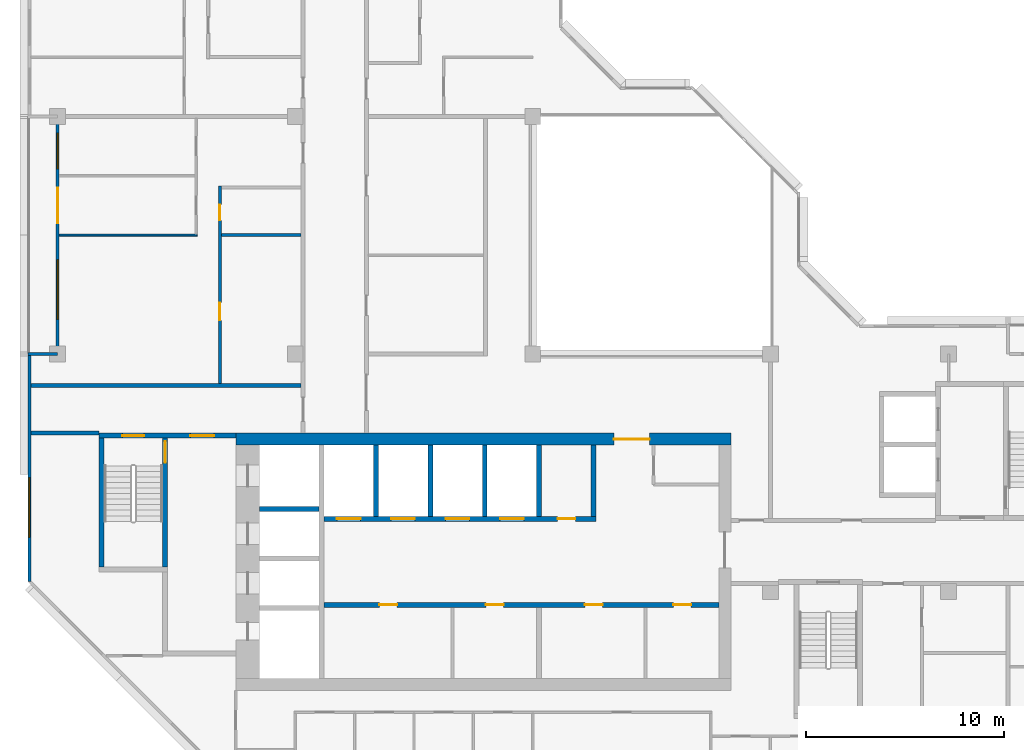
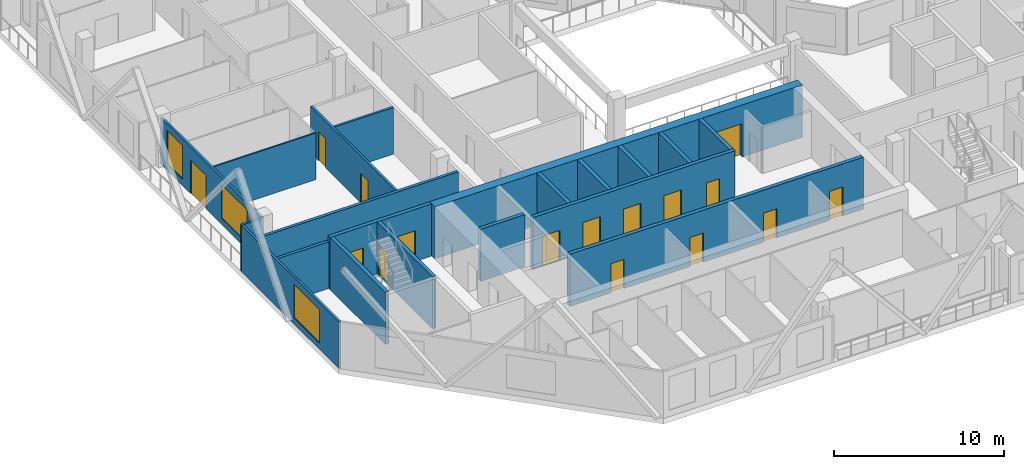
# One storey, part 5 of 13: 20 walls, 16 doors, 3 windows, 19 openings.
"""IFC4 building model written with IfcOpenShell, lengths in metres."""

import ifcopenshell
import ifcopenshell.guid

model = None  # the IFC model being written
_history = None  # IfcOwnerHistory: only IFC2X3 demands one
_inside = {}  # id of a spatial element -> (the spatial element, [elements in it])
_under = {}  # id of a project, library or spatial element -> (it, [spatial elements below it])
_declared = {}  # id of a project -> (the project, [libraries it declares])
_typed = {}  # id of a type object -> (the type object, [elements of that type])
_made_of = {}  # id of a material, layer set ... -> (it, [elements and type objects made of it])


def new_model(schema):
    """Start an empty IFC model of exactly this schema.

    Asked for "IFC4X3", IfcOpenShell would pick the latest addendum, in which some entities
    have other attributes; the version numbers below select the first issue.
    IFC2X3 requires an IfcOwnerHistory on every rooted entity: one is made here for all.
    """
    global model, _history
    if schema == "IFC4X3":
        model = ifcopenshell.file(schema_version=(4, 3, 0, 0))
    else:
        model = ifcopenshell.file(schema=schema)
    _inside.clear()
    _under.clear()
    _declared.clear()
    _typed.clear()
    _made_of.clear()
    _history = None
    if model.schema == "IFC2X3":
        org = make("IfcOrganization", Name="unknown")
        user = make(
            "IfcPersonAndOrganization",
            ThePerson=make("IfcPerson", FamilyName="unknown"),
            TheOrganization=org,
        )
        app = make(
            "IfcApplication",
            ApplicationDeveloper=org,
            Version="unknown",
            ApplicationFullName="unknown",
            ApplicationIdentifier="unknown",
        )
        _history = make(
            "IfcOwnerHistory",
            OwningUser=user,
            OwningApplication=app,
            ChangeAction="ADDED",
            CreationDate=0,
        )
    return model


def make(cls, **values):
    """One entity of the class cls with the attributes given. An attribute that is None is left unset."""
    return model.create_entity(
        cls, **{name: value for name, value in values.items() if value is not None}
    )


def rooted(cls, **values):
    """An entity with a GlobalId (a new one), such as an element, a storey or a relation."""
    return make(cls, GlobalId=ifcopenshell.guid.new(), OwnerHistory=_history, **values)


def si_unit(unit_type, name, prefix=None):
    """IfcSIUnit, for example si_unit("LENGTHUNIT", "METRE", prefix="MILLI")."""
    return make("IfcSIUnit", UnitType=unit_type, Prefix=prefix, Name=name)


def assignment(units):
    """IfcUnitAssignment: the units of a project."""
    return None if units is None else make("IfcUnitAssignment", Units=units)


def point(xyz):
    """IfcCartesianPoint."""
    return None if xyz is None else make("IfcCartesianPoint", Coordinates=xyz)


def direction(xyz):
    """IfcDirection."""
    return None if xyz is None else make("IfcDirection", DirectionRatios=xyz)


def frame(location, z_axis=None, x_axis=None):
    """IfcAxis2Placement3D, a coordinate frame: its origin and axes. An axis left out is left unset."""
    return make(
        "IfcAxis2Placement3D",
        Location=point(location),
        Axis=direction(z_axis),
        RefDirection=direction(x_axis),
    )


def frame_2d(location, x_axis=None):
    """IfcAxis2Placement2D, a coordinate frame in the plane: its origin and x axis."""
    return make(
        "IfcAxis2Placement2D", Location=point(location), RefDirection=direction(x_axis)
    )


def origin():
    """The frame at (0, 0, 0) with its axes left unset."""
    return frame((0.0, 0.0, 0.0))


def place(relative_to, where):
    """IfcLocalPlacement: puts the frame where relative to a parent placement (None: the world)."""
    return make(
        "IfcLocalPlacement", PlacementRelTo=relative_to, RelativePlacement=where
    )


def context(
    kind, dimensions, precision=None, world=None, true_north=None, identifier=None
):
    """IfcGeometricRepresentationContext, for example the 3D "Model" context."""
    return make(
        "IfcGeometricRepresentationContext",
        ContextIdentifier=identifier,
        ContextType=kind,
        CoordinateSpaceDimension=dimensions,
        Precision=precision,
        WorldCoordinateSystem=world,
        TrueNorth=true_north,
    )


def subcontext(parent, identifier, kind, view, scale=None):
    """IfcGeometricRepresentationSubContext, for example "Body" below "Model"."""
    return make(
        "IfcGeometricRepresentationSubContext",
        ContextIdentifier=identifier,
        ContextType=kind,
        ParentContext=parent,
        TargetScale=scale,
        TargetView=view,
    )


def project(units=None, contexts=None):
    """IfcProject with its units and contexts."""
    return rooted(
        "IfcProject",
        Name="project",
        RepresentationContexts=contexts,
        UnitsInContext=assignment(units),
    )


def spatial(cls, under=None, at=None, **own):
    """A site, building, storey or space (cls), placed at a placement, below another one or the project."""
    s = rooted(cls, ObjectPlacement=at, **own)
    if under is not None:
        _under.setdefault(under.id(), (under, []))[1].append(s)
    return s


def profile(cls, at=None, kind="AREA", **sizes):
    """A parametric profile (cls). Its sizes go by their IFC names, for example OverallWidth=200.0."""
    return make(cls, ProfileType=kind, Position=at, **sizes)


def rectangle(**sizes):
    """IfcRectangleProfileDef."""
    return profile("IfcRectangleProfileDef", **sizes)


def extrude(swept, where, along, depth):
    """IfcExtrudedAreaSolid: the profile swept, set in the frame where, extruded along a direction by depth."""
    return make(
        "IfcExtrudedAreaSolid",
        SweptArea=swept,
        Position=where,
        ExtrudedDirection=direction(along),
        Depth=depth,
    )


def shape(context_of_items, identifier, shape_type, items):
    """IfcShapeRepresentation: the items that make up one representation, for example the "Body"."""
    return make(
        "IfcShapeRepresentation",
        ContextOfItems=context_of_items,
        RepresentationIdentifier=identifier,
        RepresentationType=shape_type,
        Items=items,
    )


def material(Name=None, Category=None):
    """IfcMaterial."""
    return make("IfcMaterial", Name=Name, Category=Category)


def layer(
    of_material, thickness, ventilated=None, Name=None, Category=None, Priority=None
):
    """IfcMaterialLayer: one layer of a wall or slab, of a material (None: an air gap)."""
    return make(
        "IfcMaterialLayer",
        Material=of_material,
        LayerThickness=thickness,
        IsVentilated=ventilated,
        Name=Name,
        Category=Category,
        Priority=Priority,
    )


def layer_set(layers, Name=None):
    """IfcMaterialLayerSet."""
    return make("IfcMaterialLayerSet", MaterialLayers=layers, LayerSetName=Name)


def made_of(thing, what):
    """Note that an element or type object is made of a material, layer set ...; save() writes the relation."""
    if what is not None:
        _made_of.setdefault(what.id(), (what, []))[1].append(thing)
    return thing


def type_object(cls, material=None, **own):
    """A type object (cls), such as IfcWallType, which elements share."""
    return made_of(rooted(cls, **own), material)


def element(
    cls,
    number,
    at=None,
    inside=None,
    cuts=None,
    type_object=None,
    material=None,
    context=None,
    identifier="Body",
    shape_type=None,
    held_by="IfcProductDefinitionShape",
    body=None,
    shapes=None,
    **own,
):
    """One element of the class cls, such as IfcWall. Its Tag is "e" and its number.

    at: its placement. inside: the storey or other place that contains it. cuts: it is an
    opening in that element (IfcRelVoidsElement). A single representation is given by context,
    identifier, shape_type and body (its items); several are given by shapes. held_by: the class
    of the entity that holds the representations. save() writes the other relations.
    """
    e = rooted(cls, Tag="e%d" % number, ObjectPlacement=at, **own)
    if body is not None:
        shapes = [shape(context, identifier, shape_type, body)]
    if shapes is not None:
        e.Representation = make(held_by, Representations=shapes)
    if inside is not None:
        _inside.setdefault(inside.id(), (inside, []))[1].append(e)
    if cuts is not None:
        rooted(
            "IfcRelVoidsElement", RelatingBuildingElement=cuts, RelatedOpeningElement=e
        )
    if type_object is not None:
        _typed.setdefault(type_object.id(), (type_object, []))[1].append(e)
    return made_of(e, material)


def fill(opening, filler):
    """IfcRelFillsElement: the door or window that sits in an opening."""
    return rooted(
        "IfcRelFillsElement",
        RelatingOpeningElement=opening,
        RelatedBuildingElement=filler,
    )


def aggregate(whole, parts):
    """IfcRelAggregates: a whole, such as a stair, and the parts it consists of."""
    return rooted("IfcRelAggregates", RelatingObject=whole, RelatedObjects=parts)


def save(model, path):
    """Write the relations noted so far, then the file.

    IfcRelAggregates (storeys below a building ...), IfcRelContainedInSpatialStructure (elements
    in a storey), IfcRelDefinesByType, IfcRelAssociatesMaterial and IfcRelDeclares: one each for
    every whole, place, type object, material and project.
    """
    for whole, parts in _under.values():
        aggregate(whole, parts)
    for where, things in _inside.values():
        rooted(
            "IfcRelContainedInSpatialStructure",
            RelatedElements=things,
            RelatingStructure=where,
        )
    for kind, things in _typed.values():
        rooted("IfcRelDefinesByType", RelatedObjects=things, RelatingType=kind)
    for what, things in _made_of.values():
        rooted("IfcRelAssociatesMaterial", RelatedObjects=things, RelatingMaterial=what)
    for by, libraries in _declared.values():
        rooted("IfcRelDeclares", RelatingContext=by, RelatedDefinitions=libraries)
    model.write(path)


model = new_model("IFC4")

# Units and contexts
model_context = context("Model", 3, precision=1e-05, world=origin(), true_north=direction((0.0, 1.0)))
body_context = subcontext(model_context, "Body", "Model", "MODEL_VIEW")
ifc_project = project(units=[si_unit("LENGTHUNIT", "METRE"), si_unit("AREAUNIT", "SQUARE_METRE"), si_unit("VOLUMEUNIT", "CUBIC_METRE"), si_unit("PLANEANGLEUNIT", "RADIAN"), si_unit("MASSUNIT", "GRAM", prefix="KILO")], contexts=[model_context])

# Site, building, storey
site_placement = place(None, origin())
site = spatial("IfcSite", under=ifc_project, at=site_placement, CompositionType="ELEMENT")
building_placement = place(site_placement, origin())
building = spatial("IfcBuilding", under=site, at=building_placement, Name="Chenar Terraces", CompositionType="ELEMENT")
storey_placement = place(building_placement, frame((0.0, 0.0, 273.39990234375)))
storey = spatial("IfcBuildingStorey", under=building, at=storey_placement, Name="L63", CompositionType="ELEMENT", Elevation=273.39990234375)

# Wall, openings, doors
ifc_material_1 = material(Name="Concrete C50/60", Category="concrete")
ifc_layer_1 = layer(ifc_material_1, 0.25)
ifc_layer_set_1 = layer_set([ifc_layer_1], Name="Concrete C50/60")
wall_type_1 = type_object("IfcWallType", Name="Core wall 250 Concrete C50/60", PredefinedType="SHEAR", material=ifc_layer_set_1)
wall_1_placement = place(storey_placement, frame((13.449951171875, 11.324951171875, 0.0), z_axis=(0.0, 0.0, 1.0), x_axis=(1.0, 0.0, 0.0)))
wall_1 = element("IfcWall", 1, at=wall_1_placement, inside=storey, type_object=wall_type_1, Name="Core wall SF L63", PredefinedType="SHEAR", context=body_context, shape_type="SweptSolid", body=[
    extrude(rectangle(XDim=19.949951171875, YDim=0.25, at=frame_2d((9.97509765625, 0.0))), origin(), (0.0, 0.0, 1.0), 3.75),
])
opening_1_placement = place(wall_1_placement, frame((2.800048828125, 0.0, 0.0)))
opening_1 = element("IfcOpeningElement", 2, at=opening_1_placement, cuts=wall_1, Name="Opening DL63-C12", PredefinedType="OPENING", context=body_context, shape_type="SweptSolid", body=[
    extrude(rectangle(XDim=0.89990234375, YDim=2.10009765625, at=frame_2d((0.449951171875, 1.050048828125))), frame((0.0, 0.135009765625, 0.0), z_axis=(0.0, -1.0, 0.0), x_axis=(1.0, 0.0, 0.0)), (0.0, 0.0, 1.0), 0.27001953125),
])
opening_2_placement = place(wall_1_placement, frame((8.175048828125, 0.0, 0.0)))
opening_2 = element("IfcOpeningElement", 3, at=opening_2_placement, cuts=wall_1, Name="Opening DL63-C13", PredefinedType="OPENING", context=body_context, shape_type="SweptSolid", body=[
    extrude(rectangle(XDim=0.89990234375, YDim=2.10009765625, at=frame_2d((0.449951171875, 1.050048828125))), frame((0.0, 0.135009765625, 0.0), z_axis=(0.0, -1.0, 0.0), x_axis=(1.0, 0.0, 0.0)), (0.0, 0.0, 1.0), 0.27001953125),
])
opening_3_placement = place(wall_1_placement, frame((13.175048828125, 0.0, 0.0)))
opening_3 = element("IfcOpeningElement", 4, at=opening_3_placement, cuts=wall_1, Name="Opening DL63-C14", PredefinedType="OPENING", context=body_context, shape_type="SweptSolid", body=[
    extrude(rectangle(XDim=0.89990234375, YDim=2.10009765625, at=frame_2d((0.449951171875, 1.050048828125))), frame((0.0, 0.135009765625, 0.0), z_axis=(0.0, -1.0, 0.0), x_axis=(1.0, 0.0, 0.0)), (0.0, 0.0, 1.0), 0.27001953125),
])
opening_4_placement = place(wall_1_placement, frame((17.64990234375, 0.0, 0.0)))
opening_4 = element("IfcOpeningElement", 5, at=opening_4_placement, cuts=wall_1, Name="Opening DL63-C15", PredefinedType="OPENING", context=body_context, shape_type="SweptSolid", body=[
    extrude(rectangle(XDim=0.89990234375, YDim=2.10009765625, at=frame_2d((0.449951171875, 1.050048828125))), frame((0.0, 0.135009765625, 0.0), z_axis=(0.0, -1.0, 0.0), x_axis=(1.0, 0.0, 0.0)), (0.0, 0.0, 1.0), 0.27001953125),
])
ifc_material_2 = material(Name="Steel-framed fire-resisting door leaf", Category="steel")
door_type_1 = type_object("IfcDoorType", Name="Riser fire door FD60 900 x 2100", OperationType="SINGLE_SWING_LEFT", PredefinedType="DOOR", material=ifc_material_2)
door_1_placement = place(opening_1_placement, frame((0.89990234375, 0.0, 0.0), z_axis=(0.0, 0.0, 1.0), x_axis=(-1.0, 0.0, 0.0)))
door_1 = element("IfcDoor", 6, at=door_1_placement, inside=storey, type_object=door_type_1, Name="Core room door DL63-C12", OperationType="SINGLE_SWING_LEFT", OverallHeight=2.10009765625, OverallWidth=0.89990234375, PredefinedType="DOOR", context=body_context, shape_type="SweptSolid", body=[
    extrude(rectangle(XDim=0.89990234375, YDim=2.10009765625, at=frame_2d((0.449951171875, 1.050048828125))), frame((0.0, 0.02490234375, 0.0), z_axis=(0.0, -1.0, 0.0), x_axis=(1.0, 0.0, 0.0)), (0.0, 0.0, 1.0), 0.050048828125),
])
fill(opening_1, door_1)
door_2_placement = place(opening_2_placement, frame((0.89990234375, 0.0, 0.0), z_axis=(0.0, 0.0, 1.0), x_axis=(-1.0, 0.0, 0.0)))
door_2 = element("IfcDoor", 7, at=door_2_placement, inside=storey, type_object=door_type_1, Name="Core room door DL63-C13", OperationType="SINGLE_SWING_LEFT", OverallHeight=2.10009765625, OverallWidth=0.89990234375, PredefinedType="DOOR", context=body_context, shape_type="SweptSolid", body=[
    extrude(rectangle(XDim=0.89990234375, YDim=2.10009765625, at=frame_2d((0.449951171875, 1.050048828125))), frame((0.0, 0.02490234375, 0.0), z_axis=(0.0, -1.0, 0.0), x_axis=(1.0, 0.0, 0.0)), (0.0, 0.0, 1.0), 0.050048828125),
])
fill(opening_2, door_2)
door_3_placement = place(opening_3_placement, frame((0.89990234375, 0.0, 0.0), z_axis=(0.0, 0.0, 1.0), x_axis=(-1.0, 0.0, 0.0)))
door_3 = element("IfcDoor", 8, at=door_3_placement, inside=storey, type_object=door_type_1, Name="Core room door DL63-C14", OperationType="SINGLE_SWING_LEFT", OverallHeight=2.10009765625, OverallWidth=0.89990234375, PredefinedType="DOOR", context=body_context, shape_type="SweptSolid", body=[
    extrude(rectangle(XDim=0.89990234375, YDim=2.10009765625, at=frame_2d((0.449951171875, 1.050048828125))), frame((0.0, 0.02490234375, 0.0), z_axis=(0.0, -1.0, 0.0), x_axis=(1.0, 0.0, 0.0)), (0.0, 0.0, 1.0), 0.050048828125),
])
fill(opening_3, door_3)
door_4_placement = place(opening_4_placement, frame((0.89990234375, 0.0, 0.0), z_axis=(0.0, 0.0, 1.0), x_axis=(-1.0, 0.0, 0.0)))
door_4 = element("IfcDoor", 9, at=door_4_placement, inside=storey, type_object=door_type_1, Name="Core room door DL63-C15", OperationType="SINGLE_SWING_RIGHT", OverallHeight=2.10009765625, OverallWidth=0.89990234375, PredefinedType="DOOR", context=body_context, shape_type="SweptSolid", body=[
    extrude(rectangle(XDim=0.89990234375, YDim=2.10009765625, at=frame_2d((0.449951171875, 1.050048828125))), frame((0.0, 0.02490234375, 0.0), z_axis=(0.0, -1.0, 0.0), x_axis=(1.0, 0.0, 0.0)), (0.0, 0.0, 1.0), 0.050048828125),
])
fill(opening_4, door_4)

wall_2_placement = place(storey_placement, frame((13.449951171875, 15.675048828125, 0.0), z_axis=(0.0, 0.0, 1.0), x_axis=(1.0, 0.0, 0.0)))
wall_2 = element("IfcWall", 10, at=wall_2_placement, inside=storey, type_object=wall_type_1, Name="Core wall NF L63", PredefinedType="SHEAR", context=body_context, shape_type="SweptSolid", body=[
    extrude(rectangle(XDim=13.75, YDim=0.25, at=frame_2d((6.875, 0.0))), origin(), (0.0, 0.0, 1.0), 3.75),
])
opening_5_placement = place(wall_2_placement, frame((0.64990234375, 0.0, 0.0)))
opening_5 = element("IfcOpeningElement", 11, at=opening_5_placement, cuts=wall_2, Name="Opening DL63-LD1", PredefinedType="OPENING", context=body_context, shape_type="SweptSolid", body=[
    extrude(rectangle(XDim=1.199951171875, YDim=2.199951171875, at=frame_2d((0.60009765625, 1.10009765625))), frame((0.0, 0.135009765625, 0.0), z_axis=(0.0, -1.0, 0.0), x_axis=(1.0, 0.0, 0.0)), (0.0, 0.0, 1.0), 0.27001953125),
])
opening_6_placement = place(wall_2_placement, frame((3.39990234375, 0.0, 0.0)))
opening_6 = element("IfcOpeningElement", 12, at=opening_6_placement, cuts=wall_2, Name="Opening DL63-LD2", PredefinedType="OPENING", context=body_context, shape_type="SweptSolid", body=[
    extrude(rectangle(XDim=1.199951171875, YDim=2.199951171875, at=frame_2d((0.60009765625, 1.10009765625))), frame((0.0, 0.135009765625, 0.0), z_axis=(0.0, -1.0, 0.0), x_axis=(1.0, 0.0, 0.0)), (0.0, 0.0, 1.0), 0.27001953125),
])
opening_7_placement = place(wall_2_placement, frame((6.14990234375, 0.0, 0.0)))
opening_7 = element("IfcOpeningElement", 13, at=opening_7_placement, cuts=wall_2, Name="Opening DL63-LD3", PredefinedType="OPENING", context=body_context, shape_type="SweptSolid", body=[
    extrude(rectangle(XDim=1.199951171875, YDim=2.199951171875, at=frame_2d((0.60009765625, 1.10009765625))), frame((0.0, 0.135009765625, 0.0), z_axis=(0.0, -1.0, 0.0), x_axis=(1.0, 0.0, 0.0)), (0.0, 0.0, 1.0), 0.27001953125),
])
opening_8_placement = place(wall_2_placement, frame((8.89990234375, 0.0, 0.0)))
opening_8 = element("IfcOpeningElement", 14, at=opening_8_placement, cuts=wall_2, Name="Opening DL63-LD4", PredefinedType="OPENING", context=body_context, shape_type="SweptSolid", body=[
    extrude(rectangle(XDim=1.199951171875, YDim=2.199951171875, at=frame_2d((0.60009765625, 1.10009765625))), frame((0.0, 0.135009765625, 0.0), z_axis=(0.0, -1.0, 0.0), x_axis=(1.0, 0.0, 0.0)), (0.0, 0.0, 1.0), 0.27001953125),
])
opening_9_placement = place(wall_2_placement, frame((11.800048828125, 0.0, 0.0)))
opening_9 = element("IfcOpeningElement", 15, at=opening_9_placement, cuts=wall_2, Name="Opening DL63-C16", PredefinedType="OPENING", context=body_context, shape_type="SweptSolid", body=[
    extrude(rectangle(XDim=0.89990234375, YDim=2.10009765625, at=frame_2d((0.449951171875, 1.050048828125))), frame((0.0, 0.135009765625, 0.0), z_axis=(0.0, -1.0, 0.0), x_axis=(1.0, 0.0, 0.0)), (0.0, 0.0, 1.0), 0.27001953125),
])
ifc_material_3 = material(Name="Stainless steel", Category="steel")
door_type_2 = type_object("IfcDoorType", Name="Lift landing door 1200 x 2200 sliding", OperationType="DOUBLE_DOOR_SLIDING", PredefinedType="DOOR", material=ifc_material_3)
door_5_placement = place(opening_5_placement, origin())
door_5 = element("IfcDoor", 16, at=door_5_placement, inside=storey, type_object=door_type_2, Name="Landing door H1", OperationType="DOUBLE_DOOR_SLIDING", OverallHeight=2.199951171875, OverallWidth=1.199951171875, PredefinedType="DOOR", context=body_context, shape_type="SweptSolid", body=[
    extrude(rectangle(XDim=1.199951171875, YDim=2.199951171875, at=frame_2d((0.60009765625, 1.10009765625))), frame((0.0, 0.02490234375, 0.0), z_axis=(0.0, -1.0, 0.0), x_axis=(1.0, 0.0, 0.0)), (0.0, 0.0, 1.0), 0.050048828125),
])
fill(opening_5, door_5)
door_6_placement = place(opening_6_placement, origin())
door_6 = element("IfcDoor", 17, at=door_6_placement, inside=storey, type_object=door_type_2, Name="Landing door H2", OperationType="DOUBLE_DOOR_SLIDING", OverallHeight=2.199951171875, OverallWidth=1.199951171875, PredefinedType="DOOR", context=body_context, shape_type="SweptSolid", body=[
    extrude(rectangle(XDim=1.199951171875, YDim=2.199951171875, at=frame_2d((0.60009765625, 1.10009765625))), frame((0.0, 0.02490234375, 0.0), z_axis=(0.0, -1.0, 0.0), x_axis=(1.0, 0.0, 0.0)), (0.0, 0.0, 1.0), 0.050048828125),
])
fill(opening_6, door_6)
door_7_placement = place(opening_7_placement, origin())
door_7 = element("IfcDoor", 18, at=door_7_placement, inside=storey, type_object=door_type_2, Name="Landing door H3", OperationType="DOUBLE_DOOR_SLIDING", OverallHeight=2.199951171875, OverallWidth=1.199951171875, PredefinedType="DOOR", context=body_context, shape_type="SweptSolid", body=[
    extrude(rectangle(XDim=1.199951171875, YDim=2.199951171875, at=frame_2d((0.60009765625, 1.10009765625))), frame((0.0, 0.02490234375, 0.0), z_axis=(0.0, -1.0, 0.0), x_axis=(1.0, 0.0, 0.0)), (0.0, 0.0, 1.0), 0.050048828125),
])
fill(opening_7, door_7)
door_8_placement = place(opening_8_placement, origin())
door_8 = element("IfcDoor", 19, at=door_8_placement, inside=storey, type_object=door_type_2, Name="Landing door H4", OperationType="DOUBLE_DOOR_SLIDING", OverallHeight=2.199951171875, OverallWidth=1.199951171875, PredefinedType="DOOR", context=body_context, shape_type="SweptSolid", body=[
    extrude(rectangle(XDim=1.199951171875, YDim=2.199951171875, at=frame_2d((0.60009765625, 1.10009765625))), frame((0.0, 0.02490234375, 0.0), z_axis=(0.0, -1.0, 0.0), x_axis=(1.0, 0.0, 0.0)), (0.0, 0.0, 1.0), 0.050048828125),
])
fill(opening_8, door_8)
door_9_placement = place(opening_9_placement, origin())
door_9 = element("IfcDoor", 20, at=door_9_placement, inside=storey, type_object=door_type_1, Name="Core room door DL63-C16", OperationType="SINGLE_SWING_RIGHT", OverallHeight=2.10009765625, OverallWidth=0.89990234375, PredefinedType="DOOR", context=body_context, shape_type="SweptSolid", body=[
    extrude(rectangle(XDim=0.89990234375, YDim=2.10009765625, at=frame_2d((0.449951171875, 1.050048828125))), frame((0.0, 0.02490234375, 0.0), z_axis=(0.0, -1.0, 0.0), x_axis=(1.0, 0.0, 0.0)), (0.0, 0.0, 1.0), 0.050048828125),
])
fill(opening_9, door_9)

# Walls
wall_3_placement = place(storey_placement, frame((10.199951171875, 16.175048828125, 0.0), z_axis=(0.0, 0.0, 1.0), x_axis=(1.0, 0.0, 0.0)))
element("IfcWall", 21, at=wall_3_placement, inside=storey, type_object=wall_type_1, Name="Core wall HW2 L63", PredefinedType="SHEAR", context=body_context, shape_type="SweptSolid", body=[
    extrude(rectangle(XDim=3.0, YDim=0.25, at=frame_2d((1.5, 0.0))), origin(), (0.0, 0.0, 1.0), 3.75),
])
for number, where, z_axis, x_axis, name in (
    (22, (16.074951171875, 15.800048828125, 0.0), (0.0, 0.0, 1.0), (0.0, 1.0, 0.0), "Core wall NS0 L63"),
    (23, (18.824951171875, 15.800048828125, 0.0), (0.0, 0.0, 1.0), (0.0, 1.0, 0.0), "Core wall NS1 L63"),
    (24, (21.574951171875, 15.800048828125, 0.0), (0.0, 0.0, 1.0), (0.0, 1.0, 0.0), "Core wall NS2 L63"),
    (25, (24.324951171875, 15.800048828125, 0.0), (0.0, 0.0, 1.0), (0.0, 1.0, 0.0), "Core wall NS3 L63"),
    (26, (27.074951171875, 15.800048828125, 0.0), (0.0, 0.0, 1.0), (0.0, 1.0, 0.0), "Core wall NE L63"),
):
    element("IfcWall", number, at=place(storey_placement, frame(where, z_axis=z_axis, x_axis=x_axis)), inside=storey, type_object=wall_type_1, Name=name, PredefinedType="SHEAR", context=body_context, shape_type="SweptSolid", body=[
        extrude(rectangle(XDim=3.599853515625, YDim=0.25, at=frame_2d((1.7998046875, 0.0))), origin(), (0.0, 0.0, 1.0), 3.75),
    ])

# Wall, openings, doors
wall_4_placement = place(storey_placement, frame((2.10009765625, 19.875, 0.0), z_axis=(0.0, 0.0, 1.0), x_axis=(1.0, 0.0, 0.0)))
wall_4 = element("IfcWall", 27, at=wall_4_placement, inside=storey, type_object=wall_type_1, Name="Core wall A_N L63", PredefinedType="SHEAR", context=body_context, shape_type="SweptSolid", body=[
    extrude(rectangle(XDim=6.89990234375, YDim=0.25, at=frame_2d((3.449951171875, 0.0))), origin(), (0.0, 0.0, 1.0), 3.75),
])
opening_10_placement = place(wall_4_placement, frame((1.175048828125, 0.0, 0.0)))
opening_10 = element("IfcOpeningElement", 28, at=opening_10_placement, cuts=wall_4, Name="Opening DL63-C5", PredefinedType="OPENING", context=body_context, shape_type="SweptSolid", body=[
    extrude(rectangle(XDim=1.10009765625, YDim=2.199951171875, at=frame_2d((0.550048828125, 1.10009765625))), frame((0.0, 0.135009765625, 0.0), z_axis=(0.0, -1.0, 0.0), x_axis=(1.0, 0.0, 0.0)), (0.0, 0.0, 1.0), 0.27001953125),
])
opening_11_placement = place(wall_4_placement, frame((4.60009765625, 0.0, 0.0)))
opening_11 = element("IfcOpeningElement", 29, at=opening_11_placement, cuts=wall_4, Name="Opening DL63-C6", PredefinedType="OPENING", context=body_context, shape_type="SweptSolid", body=[
    extrude(rectangle(XDim=1.199951171875, YDim=2.199951171875, at=frame_2d((0.60009765625, 1.10009765625))), frame((0.0, 0.135009765625, 0.0), z_axis=(0.0, -1.0, 0.0), x_axis=(1.0, 0.0, 0.0)), (0.0, 0.0, 1.0), 0.27001953125),
])
ifc_material_4 = material(Name="Steel-framed fire-resisting door leaf", Category="steel")
door_type_3 = type_object("IfcDoorType", Name="Lobby fire door FD60 1200 x 2200", OperationType="SINGLE_SWING_LEFT", PredefinedType="DOOR", material=ifc_material_4)
door_10_placement = place(opening_11_placement, frame((1.199951171875, 0.0, 0.0), z_axis=(0.0, 0.0, 1.0), x_axis=(-1.0, 0.0, 0.0)))
door_10 = element("IfcDoor", 30, at=door_10_placement, inside=storey, type_object=door_type_3, Name="Core door DL63-C6", OperationType="SINGLE_SWING_LEFT", OverallHeight=2.199951171875, OverallWidth=1.199951171875, PredefinedType="DOOR", context=body_context, shape_type="SweptSolid", body=[
    extrude(rectangle(XDim=1.199951171875, YDim=2.199951171875, at=frame_2d((0.60009765625, 1.10009765625))), frame((0.0, 0.02490234375, 0.0), z_axis=(0.0, -1.0, 0.0), x_axis=(1.0, 0.0, 0.0)), (0.0, 0.0, 1.0), 0.050048828125),
])
fill(opening_11, door_10)
ifc_material_5 = material(Name="Steel-framed fire-resisting door leaf", Category="steel")
door_type_4 = type_object("IfcDoorType", Name="Stair fire door FD60 1100 x 2200", OperationType="SINGLE_SWING_LEFT", PredefinedType="DOOR", material=ifc_material_5)
door_11_placement = place(opening_10_placement, origin())
door_11 = element("IfcDoor", 31, at=door_11_placement, inside=storey, type_object=door_type_4, Name="Stair door DL63-C5", OperationType="SINGLE_SWING_LEFT", OverallHeight=2.199951171875, OverallWidth=1.10009765625, PredefinedType="DOOR", context=body_context, shape_type="SweptSolid", body=[
    extrude(rectangle(XDim=1.10009765625, YDim=2.199951171875, at=frame_2d((0.550048828125, 1.10009765625))), frame((0.0, 0.02490234375, 0.0), z_axis=(0.0, -1.0, 0.0), x_axis=(1.0, 0.0, 0.0)), (0.0, 0.0, 1.0), 0.050048828125),
])
fill(opening_10, door_11)

# Wall
wall_5_placement = place(storey_placement, frame((2.22509765625, 13.25, 0.0), z_axis=(0.0, 0.0, 1.0), x_axis=(0.0, 1.0, 0.0)))
element("IfcWall", 32, at=wall_5_placement, inside=storey, type_object=wall_type_1, Name="Core wall ST1_W L63", PredefinedType="SHEAR", context=body_context, shape_type="SweptSolid", body=[
    extrude(rectangle(XDim=6.5, YDim=0.25, at=frame_2d((3.25, 0.0))), origin(), (0.0, 0.0, 1.0), 3.75),
])

# Wall, opening, door
wall_6_placement = place(storey_placement, frame((5.425048828125, 13.25, 0.0), z_axis=(0.0, 0.0, 1.0), x_axis=(0.0, 1.0, 0.0)))
wall_6 = element("IfcWall", 33, at=wall_6_placement, inside=storey, type_object=wall_type_1, Name="Core wall ST1_E L63", PredefinedType="SHEAR", context=body_context, shape_type="SweptSolid", body=[
    extrude(rectangle(XDim=6.5, YDim=0.25, at=frame_2d((3.25, 0.0))), origin(), (0.0, 0.0, 1.0), 3.75),
])
opening_12_placement = place(wall_6_placement, frame((5.25, 0.0, 0.0)))
opening_12 = element("IfcOpeningElement", 34, at=opening_12_placement, cuts=wall_6, Name="Opening DL63-C3", PredefinedType="OPENING", context=body_context, shape_type="SweptSolid", body=[
    extrude(rectangle(XDim=1.10009765625, YDim=2.199951171875, at=frame_2d((0.550048828125, 1.10009765625))), frame((0.0, 0.135009765625, 0.0), z_axis=(0.0, -1.0, 0.0), x_axis=(1.0, 0.0, 0.0)), (0.0, 0.0, 1.0), 0.27001953125),
])
door_12_placement = place(opening_12_placement, origin())
door_12 = element("IfcDoor", 35, at=door_12_placement, inside=storey, type_object=door_type_4, Name="Stair door DL63-C3", OperationType="SINGLE_SWING_RIGHT", OverallHeight=2.199951171875, OverallWidth=1.10009765625, PredefinedType="DOOR", context=body_context, shape_type="SweptSolid", body=[
    extrude(rectangle(XDim=1.10009765625, YDim=2.199951171875, at=frame_2d((0.550048828125, 1.10009765625))), frame((0.0, 0.02490234375, 0.0), z_axis=(0.0, -1.0, 0.0), x_axis=(1.0, 0.0, 0.0)), (0.0, 0.0, 1.0), 0.050048828125),
])
fill(opening_12, door_12)

ifc_material_6 = material(Name="Concrete C50/60", Category="concrete")
ifc_layer_2 = layer(ifc_material_6, 0.60009765625)
ifc_layer_set_2 = layer_set([ifc_layer_2], Name="Concrete C50/60")
wall_type_2 = type_object("IfcWallType", Name="Core wall 600 Concrete C50/60", PredefinedType="SHEAR", material=ifc_layer_set_2)
wall_7_placement = place(storey_placement, frame((9.0, 19.699951171875, 0.0), z_axis=(0.0, 0.0, 1.0), x_axis=(1.0, 0.0, 0.0)))
wall_7 = element("IfcWall", 36, at=wall_7_placement, inside=storey, type_object=wall_type_2, Name="Core wall N L63", PredefinedType="SHEAR", context=body_context, shape_type="SweptSolid", body=[
    extrude(rectangle(XDim=25.0, YDim=0.60009765625, at=frame_2d((12.5, 0.0))), origin(), (0.0, 0.0, 1.0), 3.75),
])
opening_13_placement = place(wall_7_placement, frame((19.10009765625, 0.0, 0.0)))
opening_13 = element("IfcOpeningElement", 37, at=opening_13_placement, cuts=wall_7, Name="Opening DL63-C2", PredefinedType="OPENING", context=body_context, shape_type="SweptSolid", body=[
    extrude(rectangle(XDim=1.800048828125, YDim=2.39990234375, at=frame_2d((0.89990234375, 1.199951171875))), frame((0.0, 0.31005859375, 0.0), z_axis=(0.0, -1.0, 0.0), x_axis=(1.0, 0.0, 0.0)), (0.0, 0.0, 1.0), 0.6201171875),
])
ifc_material_7 = material(Name="Steel-framed fire-resisting door leaf", Category="steel")
door_type_5 = type_object("IfcDoorType", Name="Core entrance double fire door FD60 1800 x 2400", OperationType="DOUBLE_DOOR_SINGLE_SWING", PredefinedType="DOOR", material=ifc_material_7)
door_13_placement = place(opening_13_placement, frame((1.800048828125, 0.0, 0.0), z_axis=(0.0, 0.0, 1.0), x_axis=(-1.0, 0.0, 0.0)))
door_13 = element("IfcDoor", 38, at=door_13_placement, inside=storey, type_object=door_type_5, Name="Core door DL63-C2", OperationType="DOUBLE_DOOR_SINGLE_SWING", OverallHeight=2.39990234375, OverallWidth=1.800048828125, PredefinedType="DOOR", context=body_context, shape_type="SweptSolid", body=[
    extrude(rectangle(XDim=1.800048828125, YDim=2.39990234375, at=frame_2d((0.89990234375, 1.199951171875))), frame((0.0, 0.02490234375, 0.0), z_axis=(0.0, -1.0, 0.0), x_axis=(1.0, 0.0, 0.0)), (0.0, 0.0, 1.0), 0.050048828125),
])
fill(opening_13, door_13)

# Walls
ifc_material_8 = material(Name="Gypsum board on steel studs with fire boards", Category="steel")
ifc_layer_3 = layer(ifc_material_8, 0.199951171875)
ifc_layer_set_3 = layer_set([ifc_layer_3], Name="Gypsum board on steel studs with fire boards")
wall_type_3 = type_object("IfcWallType", Name="Corridor wall 200", PredefinedType="PARTITIONING", material=ifc_layer_set_3)
wall_8_placement = place(storey_placement, frame((-1.35009765625, 20.0, 0.0), z_axis=(0.0, 0.0, 1.0), x_axis=(1.0, 0.0, 0.0)))
element("IfcWall", 39, at=wall_8_placement, inside=storey, type_object=wall_type_3, Name="Partition L63-002", PredefinedType="PARTITIONING", context=body_context, shape_type="SweptSolid", body=[
    extrude(rectangle(XDim=3.4501953125, YDim=0.199951171875, at=frame_2d((1.72509765625, 0.0))), origin(), (0.0, 0.0, 1.0), 3.35009765625),
])
wall_9_placement = place(storey_placement, frame((-1.35009765625, 22.39990234375, 0.0), z_axis=(0.0, 0.0, 1.0), x_axis=(1.0, 0.0, 0.0)))
element("IfcWall", 40, at=wall_9_placement, inside=storey, type_object=wall_type_3, Name="Partition L63-003", PredefinedType="PARTITIONING", context=body_context, shape_type="SweptSolid", body=[
    extrude(rectangle(XDim=13.650146484375, YDim=0.199951171875, at=frame_2d((6.8251953125, 0.0))), origin(), (0.0, 0.0, 1.0), 3.35009765625),
])

# Wall, opening, window
ifc_material_9 = material(Name="Aluminium framed glazing", Category="aluminium")
ifc_layer_4 = layer(ifc_material_9, 0.14990234375)
ifc_layer_set_4 = layer_set([ifc_layer_4], Name="Aluminium framed glazing")
wall_type_4 = type_object("IfcWallType", Name="Glazed flush facade wall 150", PredefinedType="SOLIDWALL", material=ifc_layer_set_4)
wall_10_placement = place(storey_placement, frame((-1.425048828125, 23.925048828125, 0.0), z_axis=(0.0, 0.0, 1.0), x_axis=(0.0, -1.0, 0.0)))
wall_10 = element("IfcWall", 41, at=wall_10_placement, inside=storey, type_object=wall_type_4, Name="Glazed flush facade wall", PredefinedType="SOLIDWALL", context=body_context, shape_type="SweptSolid", body=[
    extrude(rectangle(XDim=11.425048828125, YDim=0.14990234375, at=frame_2d((5.71240234375, 0.0))), origin(), (0.0, 0.0, 1.0), 3.35009765625),
])
opening_14_placement = place(wall_10_placement, frame((6.175048828125, 0.0, 0.449951171875)))
opening_14 = element("IfcOpeningElement", 42, at=opening_14_placement, cuts=wall_10, Name="Opening W300x240", PredefinedType="OPENING", context=body_context, shape_type="SweptSolid", body=[
    extrude(rectangle(XDim=3.0, YDim=2.39990234375, at=frame_2d((1.5, 1.199951171875))), frame((0.0, 0.0849609375, 0.0), z_axis=(0.0, -1.0, 0.0), x_axis=(1.0, 0.0, 0.0)), (0.0, 0.0, 1.0), 0.169921875),
])
ifc_material_10 = material(Name="Low emissivity double glazing, aluminium frame", Category="aluminium")
window_type_1 = type_object("IfcWindowType", Name="Fixed light 3000 x 2400", PartitioningType="SINGLE_PANEL", PredefinedType="WINDOW", material=ifc_material_10)
window_1_placement = place(opening_14_placement, origin())
window_1 = element("IfcWindow", 43, at=window_1_placement, inside=storey, type_object=window_type_1, Name="Window", OverallHeight=2.39990234375, OverallWidth=3.0, PartitioningType="SINGLE_PANEL", PredefinedType="WINDOW", context=body_context, shape_type="SweptSolid", body=[
    extrude(rectangle(XDim=3.0, YDim=2.39990234375, at=frame_2d((1.5, 1.199951171875))), frame((0.0, 0.030029296875, 0.0), z_axis=(0.0, -1.0, 0.0), x_axis=(1.0, 0.0, 0.0)), (0.0, 0.0, 1.0), 0.06005859375),
])
fill(opening_14, window_1)

# Wall, openings, windows, door
ifc_material_11 = material(Name="Aluminium framed glazing", Category="aluminium")
ifc_layer_5 = layer(ifc_material_11, 0.14990234375)
ifc_layer_set_5 = layer_set([ifc_layer_5], Name="Aluminium framed glazing")
wall_type_5 = type_object("IfcWallType", Name="Glazed loggia back wall 150", PredefinedType="SOLIDWALL", material=ifc_layer_set_5)
wall_11_placement = place(storey_placement, frame((0.0, 35.925048828125, 0.0), z_axis=(0.0, 0.0, 1.0), x_axis=(0.0, -1.0, 0.0)))
wall_11 = element("IfcWall", 44, at=wall_11_placement, inside=storey, type_object=wall_type_5, Name="Glazed loggia back wall", PredefinedType="SOLIDWALL", context=body_context, shape_type="SweptSolid", body=[
    extrude(rectangle(XDim=11.85009765625, YDim=0.14990234375, at=frame_2d((5.925048828125, 0.0))), origin(), (0.0, 0.0, 1.0), 3.35009765625),
])
opening_15_placement = place(wall_11_placement, frame((0.77490234375, 0.0, 0.449951171875)))
opening_15 = element("IfcOpeningElement", 45, at=opening_15_placement, cuts=wall_11, Name="Opening W180x240", PredefinedType="OPENING", context=body_context, shape_type="SweptSolid", body=[
    extrude(rectangle(XDim=1.800048828125, YDim=2.39990234375, at=frame_2d((0.89990234375, 1.199951171875))), frame((0.0, 0.0849609375, 0.0), z_axis=(0.0, -1.0, 0.0), x_axis=(1.0, 0.0, 0.0)), (0.0, 0.0, 1.0), 0.169921875),
])
opening_16_placement = place(wall_11_placement, frame((3.52490234375, 0.0, 0.0)))
opening_16 = element("IfcOpeningElement", 46, at=opening_16_placement, cuts=wall_11, Name="Opening DL63-G3", PredefinedType="OPENING", context=body_context, shape_type="SweptSolid", body=[
    extrude(rectangle(XDim=1.800048828125, YDim=2.39990234375, at=frame_2d((0.89990234375, 1.199951171875))), frame((0.0, 0.0849609375, 0.0), z_axis=(0.0, -1.0, 0.0), x_axis=(1.0, 0.0, 0.0)), (0.0, 0.0, 1.0), 0.169921875),
])
opening_17_placement = place(wall_11_placement, frame((7.175048828125, 0.0, 0.449951171875)))
opening_17 = element("IfcOpeningElement", 47, at=opening_17_placement, cuts=wall_11, Name="Opening W300x240", PredefinedType="OPENING", context=body_context, shape_type="SweptSolid", body=[
    extrude(rectangle(XDim=3.0, YDim=2.39990234375, at=frame_2d((1.5, 1.199951171875))), frame((0.0, 0.0849609375, 0.0), z_axis=(0.0, -1.0, 0.0), x_axis=(1.0, 0.0, 0.0)), (0.0, 0.0, 1.0), 0.169921875),
])
ifc_material_12 = material(Name="Low emissivity double glazing, aluminium frame", Category="aluminium")
window_type_2 = type_object("IfcWindowType", Name="Fixed light 1800 x 2400", PartitioningType="SINGLE_PANEL", PredefinedType="WINDOW", material=ifc_material_12)
window_2_placement = place(opening_15_placement, origin())
window_2 = element("IfcWindow", 48, at=window_2_placement, inside=storey, type_object=window_type_2, Name="Window", OverallHeight=2.39990234375, OverallWidth=1.800048828125, PartitioningType="SINGLE_PANEL", PredefinedType="WINDOW", context=body_context, shape_type="SweptSolid", body=[
    extrude(rectangle(XDim=1.800048828125, YDim=2.39990234375, at=frame_2d((0.89990234375, 1.199951171875))), frame((0.0, 0.030029296875, 0.0), z_axis=(0.0, -1.0, 0.0), x_axis=(1.0, 0.0, 0.0)), (0.0, 0.0, 1.0), 0.06005859375),
])
fill(opening_15, window_2)
window_3_placement = place(opening_17_placement, origin())
window_3 = element("IfcWindow", 49, at=window_3_placement, inside=storey, type_object=window_type_1, Name="Window", OverallHeight=2.39990234375, OverallWidth=3.0, PartitioningType="SINGLE_PANEL", PredefinedType="WINDOW", context=body_context, shape_type="SweptSolid", body=[
    extrude(rectangle(XDim=3.0, YDim=2.39990234375, at=frame_2d((1.5, 1.199951171875))), frame((0.0, 0.030029296875, 0.0), z_axis=(0.0, -1.0, 0.0), x_axis=(1.0, 0.0, 0.0)), (0.0, 0.0, 1.0), 0.06005859375),
])
fill(opening_17, window_3)
ifc_material_13 = material(Name="Low emissivity double glazing, aluminium frame", Category="aluminium")
door_type_6 = type_object("IfcDoorType", Name="Loggia glazed double door 1800 x 2400", OperationType="DOUBLE_DOOR_SINGLE_SWING", PredefinedType="DOOR", material=ifc_material_13)
door_14_placement = place(opening_16_placement, frame((1.800048828125, 0.0, 0.0), z_axis=(0.0, 0.0, 1.0), x_axis=(-1.0, 0.0, 0.0)))
door_14 = element("IfcDoor", 50, at=door_14_placement, inside=storey, type_object=door_type_6, Name="Loggia glazed door", OperationType="DOUBLE_DOOR_SINGLE_SWING", OverallHeight=2.39990234375, OverallWidth=1.800048828125, PredefinedType="DOOR", context=body_context, shape_type="SweptSolid", body=[
    extrude(rectangle(XDim=1.800048828125, YDim=2.39990234375, at=frame_2d((0.89990234375, 1.199951171875))), frame((0.0, 0.02490234375, 0.0), z_axis=(0.0, -1.0, 0.0), x_axis=(1.0, 0.0, 0.0)), (0.0, 0.0, 1.0), 0.050048828125),
])
fill(opening_16, door_14)

# Walls
ifc_material_14 = material(Name="Gypsum board on steel studs", Category="steel")
ifc_layer_6 = layer(ifc_material_14, 0.10009765625)
ifc_layer_set_6 = layer_set([ifc_layer_6], Name="Gypsum board on steel studs")
wall_type_6 = type_object("IfcWallType", Name="Gypsum partition 100", PredefinedType="PARTITIONING", material=ifc_layer_set_6)
wall_12_placement = place(storey_placement, frame((0.073974609375, 30.0, 0.0), z_axis=(0.0, 0.0, 1.0), x_axis=(1.0, 0.0, 0.0)))
element("IfcWall", 51, at=wall_12_placement, inside=storey, type_object=wall_type_6, Name="Partition L63-007", PredefinedType="PARTITIONING", context=body_context, shape_type="SweptSolid", body=[
    extrude(rectangle(XDim=6.97607421875, YDim=0.10009765625, at=frame_2d((3.488037109375, 0.0))), origin(), (0.0, 0.0, 1.0), 3.35009765625),
])
ifc_material_15 = material(Name="Terracotta cladding on insulated backing", Category="masonry")
ifc_layer_7 = layer(ifc_material_15, 0.14990234375)
ifc_layer_set_7 = layer_set([ifc_layer_7], Name="Terracotta cladding on insulated backing")
wall_type_7 = type_object("IfcWallType", Name="Loggia return wall 150", PredefinedType="SOLIDWALL", material=ifc_layer_set_7)
wall_13_placement = place(storey_placement, frame((-1.5, 24.0, 0.0), z_axis=(0.0, 0.0, 1.0), x_axis=(1.0, 0.0, 0.0)))
element("IfcWall", 52, at=wall_13_placement, inside=storey, type_object=wall_type_7, Name="Loggia return wall", PredefinedType="SOLIDWALL", context=body_context, shape_type="SweptSolid", body=[
    extrude(rectangle(XDim=1.5, YDim=0.14990234375, at=frame_2d((0.75, 0.0))), origin(), (0.0, 0.0, 1.0), 3.35009765625),
])

# Wall, openings, doors
ifc_material_16 = material(Name="Moisture-resistant gypsum board on steel studs", Category="steel")
ifc_layer_8 = layer(ifc_material_16, 0.14990234375)
ifc_layer_set_8 = layer_set([ifc_layer_8], Name="Moisture-resistant gypsum board on steel studs")
wall_type_8 = type_object("IfcWallType", Name="Wet-room partition 150", PredefinedType="PARTITIONING", material=ifc_layer_set_8)
wall_14_placement = place(storey_placement, frame((8.199951171875, 22.5, 0.0), z_axis=(0.0, 0.0, 1.0), x_axis=(0.0, 1.0, 0.0)))
wall_14 = element("IfcWall", 53, at=wall_14_placement, inside=storey, type_object=wall_type_8, Name="Partition L63-021", PredefinedType="PARTITIONING", context=body_context, shape_type="SweptSolid", body=[
    extrude(rectangle(XDim=9.97509765625, YDim=0.14990234375, at=frame_2d((4.987548828125, 0.0))), origin(), (0.0, 0.0, 1.0), 3.35009765625),
])
opening_18_placement = place(wall_14_placement, frame((8.25, 0.0, 0.0)))
opening_18 = element("IfcOpeningElement", 54, at=opening_18_placement, cuts=wall_14, Name="Opening DL63-47", PredefinedType="OPENING", context=body_context, shape_type="SweptSolid", body=[
    extrude(rectangle(XDim=0.800048828125, YDim=2.10009765625, at=frame_2d((0.39990234375, 1.050048828125))), frame((0.0, 0.0849609375, 0.0), z_axis=(0.0, -1.0, 0.0), x_axis=(1.0, 0.0, 0.0)), (0.0, 0.0, 1.0), 0.169921875),
])
opening_19_placement = place(wall_14_placement, frame((3.199951171875, 0.0, 0.0)))
opening_19 = element("IfcOpeningElement", 55, at=opening_19_placement, cuts=wall_14, Name="Opening DL63-50", PredefinedType="OPENING", context=body_context, shape_type="SweptSolid", body=[
    extrude(rectangle(XDim=0.89990234375, YDim=2.10009765625, at=frame_2d((0.449951171875, 1.050048828125))), frame((0.0, 0.0849609375, 0.0), z_axis=(0.0, -1.0, 0.0), x_axis=(1.0, 0.0, 0.0)), (0.0, 0.0, 1.0), 0.169921875),
])
ifc_material_17 = material(Name="Veneered timber door leaf", Category="wood")
door_type_7 = type_object("IfcDoorType", Name="Door 800 x 2100", OperationType="SINGLE_SWING_LEFT", PredefinedType="DOOR", material=ifc_material_17)
door_15_placement = place(opening_18_placement, frame((0.800048828125, 0.0, 0.0), z_axis=(0.0, 0.0, 1.0), x_axis=(-1.0, 0.0, 0.0)))
door_15 = element("IfcDoor", 56, at=door_15_placement, inside=storey, type_object=door_type_7, Name="Door DL63-47", OperationType="SINGLE_SWING_RIGHT", OverallHeight=2.10009765625, OverallWidth=0.800048828125, PredefinedType="DOOR", context=body_context, shape_type="SweptSolid", body=[
    extrude(rectangle(XDim=0.800048828125, YDim=2.10009765625, at=frame_2d((0.39990234375, 1.050048828125))), frame((0.0, 0.02490234375, 0.0), z_axis=(0.0, -1.0, 0.0), x_axis=(1.0, 0.0, 0.0)), (0.0, 0.0, 1.0), 0.050048828125),
])
fill(opening_18, door_15)
ifc_material_18 = material(Name="Veneered timber door leaf", Category="wood")
door_type_8 = type_object("IfcDoorType", Name="Door 900 x 2100", OperationType="SINGLE_SWING_LEFT", PredefinedType="DOOR", material=ifc_material_18)
door_16_placement = place(opening_19_placement, frame((0.89990234375, 0.0, 0.0), z_axis=(0.0, 0.0, 1.0), x_axis=(-1.0, 0.0, 0.0)))
door_16 = element("IfcDoor", 57, at=door_16_placement, inside=storey, type_object=door_type_8, Name="Door DL63-50", OperationType="SINGLE_SWING_LEFT", OverallHeight=2.10009765625, OverallWidth=0.89990234375, PredefinedType="DOOR", context=body_context, shape_type="SweptSolid", body=[
    extrude(rectangle(XDim=0.89990234375, YDim=2.10009765625, at=frame_2d((0.449951171875, 1.050048828125))), frame((0.0, 0.02490234375, 0.0), z_axis=(0.0, -1.0, 0.0), x_axis=(1.0, 0.0, 0.0)), (0.0, 0.0, 1.0), 0.050048828125),
])
fill(opening_19, door_16)

# Wall
wall_15_placement = place(storey_placement, frame((8.27490234375, 30.0, 0.0), z_axis=(0.0, 0.0, 1.0), x_axis=(1.0, 0.0, 0.0)))
element("IfcWall", 58, at=wall_15_placement, inside=storey, type_object=wall_type_8, Name="Partition L63-022", PredefinedType="PARTITIONING", context=body_context, shape_type="SweptSolid", body=[
    extrude(rectangle(XDim=4.025146484375, YDim=0.14990234375, at=frame_2d((2.0126953125, 0.0))), origin(), (0.0, 0.0, 1.0), 3.35009765625),
])

save(model, "model.ifc")
